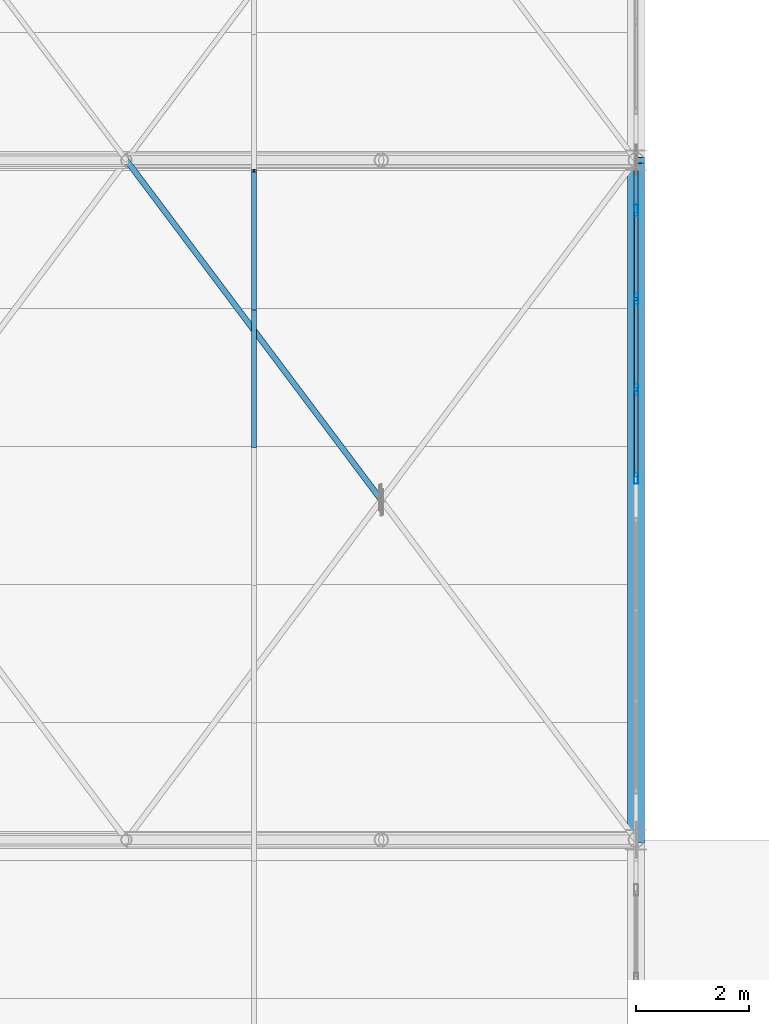
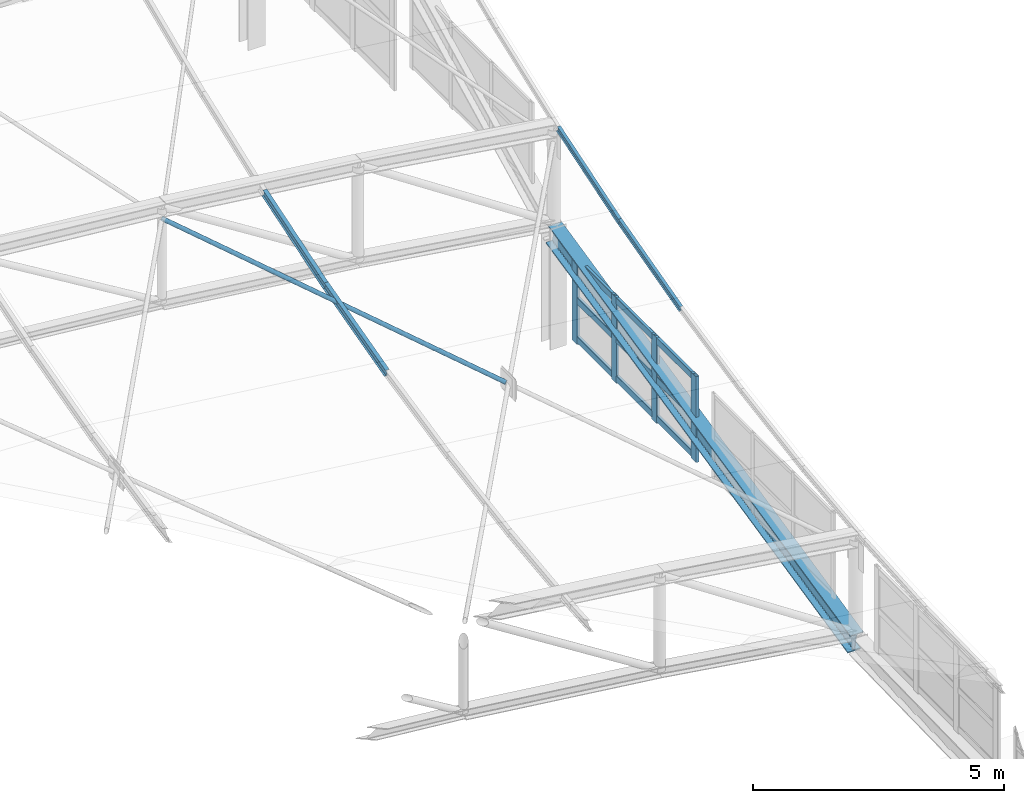
# One storey, part 129 of 262: 18 members, 1 beam, 1 element without a shape of its own.
"""IFC4 building model written with IfcOpenShell, lengths in metres."""

import ifcopenshell
import ifcopenshell.guid

model = None  # the IFC model being written
_history = None  # IfcOwnerHistory: only IFC2X3 demands one
_inside = {}  # id of a spatial element -> (the spatial element, [elements in it])
_under = {}  # id of a project, library or spatial element -> (it, [spatial elements below it])
_declared = {}  # id of a project -> (the project, [libraries it declares])
_typed = {}  # id of a type object -> (the type object, [elements of that type])
_made_of = {}  # id of a material, layer set ... -> (it, [elements and type objects made of it])


def new_model(schema):
    """Start an empty IFC model of exactly this schema.

    Asked for "IFC4X3", IfcOpenShell would pick the latest addendum, in which some entities
    have other attributes; the version numbers below select the first issue.
    IFC2X3 requires an IfcOwnerHistory on every rooted entity: one is made here for all.
    """
    global model, _history
    if schema == "IFC4X3":
        model = ifcopenshell.file(schema_version=(4, 3, 0, 0))
    else:
        model = ifcopenshell.file(schema=schema)
    _inside.clear()
    _under.clear()
    _declared.clear()
    _typed.clear()
    _made_of.clear()
    _history = None
    if model.schema == "IFC2X3":
        org = make("IfcOrganization", Name="unknown")
        user = make(
            "IfcPersonAndOrganization",
            ThePerson=make("IfcPerson", FamilyName="unknown"),
            TheOrganization=org,
        )
        app = make(
            "IfcApplication",
            ApplicationDeveloper=org,
            Version="unknown",
            ApplicationFullName="unknown",
            ApplicationIdentifier="unknown",
        )
        _history = make(
            "IfcOwnerHistory",
            OwningUser=user,
            OwningApplication=app,
            ChangeAction="ADDED",
            CreationDate=0,
        )
    return model


def make(cls, **values):
    """One entity of the class cls with the attributes given. An attribute that is None is left unset."""
    return model.create_entity(
        cls, **{name: value for name, value in values.items() if value is not None}
    )


def rooted(cls, **values):
    """An entity with a GlobalId (a new one), such as an element, a storey or a relation."""
    return make(cls, GlobalId=ifcopenshell.guid.new(), OwnerHistory=_history, **values)


def si_unit(unit_type, name, prefix=None):
    """IfcSIUnit, for example si_unit("LENGTHUNIT", "METRE", prefix="MILLI")."""
    return make("IfcSIUnit", UnitType=unit_type, Prefix=prefix, Name=name)


def derived_unit(unit_type, elements):
    """IfcDerivedUnit: a product of units, each with its exponent."""
    return make(
        "IfcDerivedUnit",
        Elements=[
            make("IfcDerivedUnitElement", Unit=unit, Exponent=power)
            for unit, power in elements
        ],
        UnitType=unit_type,
    )


def assignment(units):
    """IfcUnitAssignment: the units of a project."""
    return None if units is None else make("IfcUnitAssignment", Units=units)


def point(xyz):
    """IfcCartesianPoint."""
    return None if xyz is None else make("IfcCartesianPoint", Coordinates=xyz)


def direction(xyz):
    """IfcDirection."""
    return None if xyz is None else make("IfcDirection", DirectionRatios=xyz)


def frame(location, z_axis=None, x_axis=None):
    """IfcAxis2Placement3D, a coordinate frame: its origin and axes. An axis left out is left unset."""
    return make(
        "IfcAxis2Placement3D",
        Location=point(location),
        Axis=direction(z_axis),
        RefDirection=direction(x_axis),
    )


def frame_2d(location, x_axis=None):
    """IfcAxis2Placement2D, a coordinate frame in the plane: its origin and x axis."""
    return make(
        "IfcAxis2Placement2D", Location=point(location), RefDirection=direction(x_axis)
    )


def origin():
    """The frame at (0, 0, 0) with its axes left unset."""
    return frame((0.0, 0.0, 0.0))


def origin_2d():
    """The frame at (0, 0) in the plane with its x axis left unset."""
    return frame_2d((0.0, 0.0))


def place(relative_to, where):
    """IfcLocalPlacement: puts the frame where relative to a parent placement (None: the world)."""
    return make(
        "IfcLocalPlacement", PlacementRelTo=relative_to, RelativePlacement=where
    )


def context(
    kind, dimensions, precision=None, world=None, true_north=None, identifier=None
):
    """IfcGeometricRepresentationContext, for example the 3D "Model" context."""
    return make(
        "IfcGeometricRepresentationContext",
        ContextIdentifier=identifier,
        ContextType=kind,
        CoordinateSpaceDimension=dimensions,
        Precision=precision,
        WorldCoordinateSystem=world,
        TrueNorth=true_north,
    )


def subcontext(parent, identifier, kind, view, scale=None):
    """IfcGeometricRepresentationSubContext, for example "Body" below "Model"."""
    return make(
        "IfcGeometricRepresentationSubContext",
        ContextIdentifier=identifier,
        ContextType=kind,
        ParentContext=parent,
        TargetScale=scale,
        TargetView=view,
    )


def project(units=None, contexts=None):
    """IfcProject with its units and contexts."""
    return rooted(
        "IfcProject",
        Name="project",
        RepresentationContexts=contexts,
        UnitsInContext=assignment(units),
    )


def spatial(cls, under=None, at=None, **own):
    """A site, building, storey or space (cls), placed at a placement, below another one or the project."""
    s = rooted(cls, ObjectPlacement=at, **own)
    if under is not None:
        _under.setdefault(under.id(), (under, []))[1].append(s)
    return s


def profile(cls, at=None, kind="AREA", **sizes):
    """A parametric profile (cls). Its sizes go by their IFC names, for example OverallWidth=200.0."""
    return make(cls, ProfileType=kind, Position=at, **sizes)


def hollow_rectangle(**sizes):
    """IfcRectangleHollowProfileDef."""
    return profile("IfcRectangleHollowProfileDef", **sizes)


def hollow_circle(**sizes):
    """IfcCircleHollowProfileDef."""
    return profile("IfcCircleHollowProfileDef", **sizes)


def i_section(**sizes):
    """IfcIShapeProfileDef."""
    return profile("IfcIShapeProfileDef", **sizes)


def extrude(swept, where, along, depth):
    """IfcExtrudedAreaSolid: the profile swept, set in the frame where, extruded along a direction by depth."""
    return make(
        "IfcExtrudedAreaSolid",
        SweptArea=swept,
        Position=where,
        ExtrudedDirection=direction(along),
        Depth=depth,
    )


def shape(context_of_items, identifier, shape_type, items):
    """IfcShapeRepresentation: the items that make up one representation, for example the "Body"."""
    return make(
        "IfcShapeRepresentation",
        ContextOfItems=context_of_items,
        RepresentationIdentifier=identifier,
        RepresentationType=shape_type,
        Items=items,
    )


def material(Name=None, Category=None):
    """IfcMaterial."""
    return make("IfcMaterial", Name=Name, Category=Category)


def layer(
    of_material, thickness, ventilated=None, Name=None, Category=None, Priority=None
):
    """IfcMaterialLayer: one layer of a wall or slab, of a material (None: an air gap)."""
    return make(
        "IfcMaterialLayer",
        Material=of_material,
        LayerThickness=thickness,
        IsVentilated=ventilated,
        Name=Name,
        Category=Category,
        Priority=Priority,
    )


def layer_set(layers, Name=None):
    """IfcMaterialLayerSet."""
    return make("IfcMaterialLayerSet", MaterialLayers=layers, LayerSetName=Name)


def material_profile(
    of_material, cross_section, Name=None, Category=None, Priority=None
):
    """IfcMaterialProfile: a cross section and its material."""
    return make(
        "IfcMaterialProfile",
        Name=Name,
        Material=of_material,
        Profile=cross_section,
        Priority=Priority,
        Category=Category,
    )


def profile_set(profiles, Name=None, composite=None):
    """IfcMaterialProfileSet."""
    return make(
        "IfcMaterialProfileSet",
        Name=Name,
        MaterialProfiles=profiles,
        CompositeProfile=composite,
    )


def made_of(thing, what):
    """Note that an element or type object is made of a material, layer set ...; save() writes the relation."""
    if what is not None:
        _made_of.setdefault(what.id(), (what, []))[1].append(thing)
    return thing


def type_object(cls, material=None, **own):
    """A type object (cls), such as IfcWallType, which elements share."""
    return made_of(rooted(cls, **own), material)


def element(
    cls,
    number,
    at=None,
    inside=None,
    cuts=None,
    type_object=None,
    material=None,
    context=None,
    identifier="Body",
    shape_type=None,
    held_by="IfcProductDefinitionShape",
    body=None,
    shapes=None,
    **own,
):
    """One element of the class cls, such as IfcWall. Its Tag is "e" and its number.

    at: its placement. inside: the storey or other place that contains it. cuts: it is an
    opening in that element (IfcRelVoidsElement). A single representation is given by context,
    identifier, shape_type and body (its items); several are given by shapes. held_by: the class
    of the entity that holds the representations. save() writes the other relations.
    """
    e = rooted(cls, Tag="e%d" % number, ObjectPlacement=at, **own)
    if body is not None:
        shapes = [shape(context, identifier, shape_type, body)]
    if shapes is not None:
        e.Representation = make(held_by, Representations=shapes)
    if inside is not None:
        _inside.setdefault(inside.id(), (inside, []))[1].append(e)
    if cuts is not None:
        rooted(
            "IfcRelVoidsElement", RelatingBuildingElement=cuts, RelatedOpeningElement=e
        )
    if type_object is not None:
        _typed.setdefault(type_object.id(), (type_object, []))[1].append(e)
    return made_of(e, material)


def aggregate(whole, parts):
    """IfcRelAggregates: a whole, such as a stair, and the parts it consists of."""
    return rooted("IfcRelAggregates", RelatingObject=whole, RelatedObjects=parts)


def save(model, path):
    """Write the relations noted so far, then the file.

    IfcRelAggregates (storeys below a building ...), IfcRelContainedInSpatialStructure (elements
    in a storey), IfcRelDefinesByType, IfcRelAssociatesMaterial and IfcRelDeclares: one each for
    every whole, place, type object, material and project.
    """
    for whole, parts in _under.values():
        aggregate(whole, parts)
    for where, things in _inside.values():
        rooted(
            "IfcRelContainedInSpatialStructure",
            RelatedElements=things,
            RelatingStructure=where,
        )
    for kind, things in _typed.values():
        rooted("IfcRelDefinesByType", RelatedObjects=things, RelatingType=kind)
    for what, things in _made_of.values():
        rooted("IfcRelAssociatesMaterial", RelatedObjects=things, RelatingMaterial=what)
    for by, libraries in _declared.values():
        rooted("IfcRelDeclares", RelatingContext=by, RelatedDefinitions=libraries)
    model.write(path)


model = new_model("IFC4")

# Units and contexts
model_context = context("Model", 3, precision=1e-05, world=origin(), true_north=direction((0.0, 1.0)))
body_context = subcontext(model_context, "Body", "Model", "MODEL_VIEW")
ifc_project = project(units=[si_unit("LENGTHUNIT", "METRE"), si_unit("AREAUNIT", "SQUARE_METRE"), si_unit("VOLUMEUNIT", "CUBIC_METRE"), si_unit("PLANEANGLEUNIT", "RADIAN"), si_unit("MASSUNIT", "GRAM", prefix="KILO"), derived_unit("THERMALTRANSMITTANCEUNIT", [(si_unit("POWERUNIT", "WATT"), 1), (si_unit("LENGTHUNIT", "METRE"), -2), (si_unit("THERMODYNAMICTEMPERATUREUNIT", "KELVIN"), -1)])], contexts=[model_context])

# Site, building, storey
site_placement = place(None, origin())
site = spatial("IfcSite", under=ifc_project, at=site_placement, CompositionType="ELEMENT")
building_placement = place(site_placement, origin())
building = spatial("IfcBuilding", under=site, at=building_placement, Name="Almenara Railside Exhibition Hall", CompositionType="ELEMENT")
storey_placement = place(building_placement, frame((0.0, 0.0, 21.699951171875)))
storey = spatial("IfcBuildingStorey", under=building, at=storey_placement, Name="RF", CompositionType="ELEMENT", Elevation=21.699951171875)

# Members
ifc_material_1 = material(Name="Structural steel S355JR", Category="steel")
ifc_material_profile_1 = material_profile(ifc_material_1, i_section(OverallWidth=0.072998046875, OverallDepth=0.139892578125, WebThickness=0.004638671875, FlangeThickness=0.0068359375, FilletRadius=0.007080078125, at=origin_2d()), Name="IPE 140")
ifc_profile_set_1 = profile_set([ifc_material_profile_1], Name="Structural steel S355JR")
member_type_1 = type_object("IfcMemberType", Name="Canopy Edge Purlin IPE 140 S355JR", PredefinedType="PURLIN", material=ifc_profile_set_1)
member_1_placement = place(storey_placement, frame((66.0, 114.943115234375, 1.50341796875), z_axis=(0.0, 0.966201190487, 0.257789176462), x_axis=(-1.0, 0.0, 0.0)))
element("IfcMember", 1, at=member_1_placement, inside=storey, type_object=member_type_1, Name="MEM-PR-V1-PR-IPE140-08-21", PredefinedType="PURLIN", context=body_context, shape_type="SweptSolid", body=[
    extrude(i_section(OverallWidth=0.072998046875, OverallDepth=0.139892578125, WebThickness=0.004638671875, FlangeThickness=0.0068359375, FilletRadius=0.007080078125, at=origin_2d()), origin(), (0.0, 0.0, 1.0), 2.52197265625),
])
member_2_placement = place(storey_placement, frame((66.0, 117.3798828125, 2.149658203125), z_axis=(0.0, 0.952468462339, 0.304637207594), x_axis=(-1.0, 0.0, 0.0)))
element("IfcMember", 2, at=member_2_placement, inside=storey, type_object=member_type_1, Name="MEM-PR-V1-PR-IPE140-08-22", PredefinedType="PURLIN", context=body_context, shape_type="SweptSolid", body=[
    extrude(i_section(OverallWidth=0.072998046875, OverallDepth=0.139892578125, WebThickness=0.004638671875, FlangeThickness=0.0068359375, FilletRadius=0.007080078125, at=origin_2d()), origin(), (0.0, 0.0, 1.0), 2.55810546875),
])

# Curtain wall, members
ifc_material_2 = material(Name="Bronze-anodised aluminium and low-E double glazing", Category="aluminium")
ifc_layer = layer(ifc_material_2, 0.179931640625, Name="Bronze-anodised aluminium and low-E double glazing")
ifc_layer_set = layer_set([ifc_layer], Name="Bronze-anodised aluminium and low-E double glazing")
curtain_wall_type = type_object("IfcCurtainWallType", Name="West Hall Clerestory Curtain Wall 4200x2400", PredefinedType="NOTDEFINED", material=ifc_layer_set)
curtain_wall_placement = place(storey_placement, origin())
curtain_wall = element("IfcCurtainWall", 3, at=curtain_wall_placement, inside=storey, type_object=curtain_wall_type, Name="Curtain wall CW-CL1-191", PredefinedType="NOTDEFINED")
ifc_material_3 = material(Name="Bronze-anodised aluminium", Category="aluminium")
ifc_material_profile_2 = material_profile(ifc_material_3, hollow_rectangle(XDim=0.070068359375, YDim=0.199951171875, WallThickness=0.00439453125, InnerFilletRadius=0.00439453125, OuterFilletRadius=0.009033203125, at=origin_2d()), Name="ALU-MUL 70x200x4.5")
ifc_profile_set_2 = profile_set([ifc_material_profile_2], Name="Bronze-anodised aluminium")
member_type_2 = type_object("IfcMemberType", Name="Curtain Wall Mullion 70x200x4.5", PredefinedType="MULLION", material=ifc_profile_set_2)
member_3_placement = place(storey_placement, frame((66.0, 114.385009765625, -1.824951171875), z_axis=(0.0, 0.0, 1.0), x_axis=(-1.0, 0.0, 0.0)))
member_3 = element("IfcMember", 4, at=member_3_placement, type_object=member_type_2, Name="CW-CL1-191 mullion 1", PredefinedType="MULLION", context=body_context, shape_type="SweptSolid", body=[
    extrude(hollow_rectangle(XDim=0.070068359375, YDim=0.199951171875, WallThickness=0.00439453125, InnerFilletRadius=0.00439453125, OuterFilletRadius=0.009033203125, at=origin_2d()), origin(), (0.0, 0.0, 1.0), 2.0849609375),
])
member_4_placement = place(storey_placement, frame((66.0, 115.949951171875, -1.824951171875), z_axis=(0.0, 0.0, 1.0), x_axis=(-1.0, 0.0, 0.0)))
member_4 = element("IfcMember", 5, at=member_4_placement, type_object=member_type_2, Name="CW-CL1-191 mullion 2", PredefinedType="MULLION", context=body_context, shape_type="SweptSolid", body=[
    extrude(hollow_rectangle(XDim=0.070068359375, YDim=0.199951171875, WallThickness=0.00439453125, InnerFilletRadius=0.00439453125, OuterFilletRadius=0.009033203125, at=origin_2d()), origin(), (0.0, 0.0, 1.0), 2.0849609375),
])
member_5_placement = place(storey_placement, frame((66.0, 117.550048828125, -1.824951171875), z_axis=(0.0, 0.0, 1.0), x_axis=(-1.0, 0.0, 0.0)))
member_5 = element("IfcMember", 6, at=member_5_placement, type_object=member_type_2, Name="CW-CL1-191 mullion 3", PredefinedType="MULLION", context=body_context, shape_type="SweptSolid", body=[
    extrude(hollow_rectangle(XDim=0.070068359375, YDim=0.199951171875, WallThickness=0.00439453125, InnerFilletRadius=0.00439453125, OuterFilletRadius=0.009033203125, at=origin_2d()), origin(), (0.0, 0.0, 1.0), 2.0849609375),
])
member_6_placement = place(storey_placement, frame((66.0, 119.114990234375, -1.824951171875), z_axis=(0.0, 0.0, 1.0), x_axis=(-1.0, 0.0, 0.0)))
member_6 = element("IfcMember", 7, at=member_6_placement, type_object=member_type_2, Name="CW-CL1-191 mullion 4", PredefinedType="MULLION", context=body_context, shape_type="SweptSolid", body=[
    extrude(hollow_rectangle(XDim=0.070068359375, YDim=0.199951171875, WallThickness=0.00439453125, InnerFilletRadius=0.00439453125, OuterFilletRadius=0.009033203125, at=origin_2d()), origin(), (0.0, 0.0, 1.0), 2.0849609375),
])
ifc_material_profile_3 = material_profile(ifc_material_3, hollow_rectangle(XDim=0.070068359375, YDim=0.159912109375, WallThickness=0.00390625, InnerFilletRadius=0.00390625, OuterFilletRadius=0.008056640625, at=origin_2d()), Name="ALU-TRN 70x160x4")
ifc_profile_set_3 = profile_set([ifc_material_profile_3], Name="Bronze-anodised aluminium")
member_type_3 = type_object("IfcMemberType", Name="Curtain Wall Transom 70x160x4", PredefinedType="USERDEFINED", material=ifc_profile_set_3)
member_7_placement = place(storey_placement, frame((66.0, 114.412109375, -1.7099609375), z_axis=(0.0, 1.0, 0.0), x_axis=(-1.0, 0.0, 0.0)))
member_7 = element("IfcMember", 8, at=member_7_placement, type_object=member_type_3, Name="CW-CL1-191 transom 1.1", ObjectType="TRANSOM", PredefinedType="USERDEFINED", context=body_context, shape_type="SweptSolid", body=[
    extrude(hollow_rectangle(XDim=0.070068359375, YDim=0.159912109375, WallThickness=0.00390625, InnerFilletRadius=0.00390625, OuterFilletRadius=0.008056640625, at=origin_2d()), origin(), (0.0, 0.0, 1.0), 1.510986328125),
])
member_8_placement = place(storey_placement, frame((66.0, 114.412109375, -0.764892578125), z_axis=(0.0, 1.0, 0.0), x_axis=(-1.0, 0.0, 0.0)))
member_8 = element("IfcMember", 9, at=member_8_placement, type_object=member_type_3, Name="CW-CL1-191 transom 1.2", ObjectType="TRANSOM", PredefinedType="USERDEFINED", context=body_context, shape_type="SweptSolid", body=[
    extrude(hollow_rectangle(XDim=0.070068359375, YDim=0.159912109375, WallThickness=0.00390625, InnerFilletRadius=0.00390625, OuterFilletRadius=0.008056640625, at=origin_2d()), origin(), (0.0, 0.0, 1.0), 1.510986328125),
])
member_9_placement = place(storey_placement, frame((66.0, 114.412109375, 0.179931640625), z_axis=(0.0, 1.0, 0.0), x_axis=(-1.0, 0.0, 0.0)))
member_9 = element("IfcMember", 10, at=member_9_placement, type_object=member_type_3, Name="CW-CL1-191 transom 1.3", ObjectType="TRANSOM", PredefinedType="USERDEFINED", context=body_context, shape_type="SweptSolid", body=[
    extrude(hollow_rectangle(XDim=0.070068359375, YDim=0.159912109375, WallThickness=0.00390625, InnerFilletRadius=0.00390625, OuterFilletRadius=0.008056640625, at=origin_2d()), origin(), (0.0, 0.0, 1.0), 1.510986328125),
])
member_10_placement = place(storey_placement, frame((66.0, 115.97705078125, -1.7099609375), z_axis=(0.0, 1.0, 0.0), x_axis=(-1.0, 0.0, 0.0)))
member_10 = element("IfcMember", 11, at=member_10_placement, type_object=member_type_3, Name="CW-CL1-191 transom 2.1", ObjectType="TRANSOM", PredefinedType="USERDEFINED", context=body_context, shape_type="SweptSolid", body=[
    extrude(hollow_rectangle(XDim=0.070068359375, YDim=0.159912109375, WallThickness=0.00390625, InnerFilletRadius=0.00390625, OuterFilletRadius=0.008056640625, at=origin_2d()), origin(), (0.0, 0.0, 1.0), 1.5458984375),
])
member_11_placement = place(storey_placement, frame((66.0, 115.97705078125, -0.764892578125), z_axis=(0.0, 1.0, 0.0), x_axis=(-1.0, 0.0, 0.0)))
member_11 = element("IfcMember", 12, at=member_11_placement, type_object=member_type_3, Name="CW-CL1-191 transom 2.2", ObjectType="TRANSOM", PredefinedType="USERDEFINED", context=body_context, shape_type="SweptSolid", body=[
    extrude(hollow_rectangle(XDim=0.070068359375, YDim=0.159912109375, WallThickness=0.00390625, InnerFilletRadius=0.00390625, OuterFilletRadius=0.008056640625, at=origin_2d()), origin(), (0.0, 0.0, 1.0), 1.5458984375),
])
member_12_placement = place(storey_placement, frame((66.0, 115.97705078125, 0.179931640625), z_axis=(0.0, 1.0, 0.0), x_axis=(-1.0, 0.0, 0.0)))
member_12 = element("IfcMember", 13, at=member_12_placement, type_object=member_type_3, Name="CW-CL1-191 transom 2.3", ObjectType="TRANSOM", PredefinedType="USERDEFINED", context=body_context, shape_type="SweptSolid", body=[
    extrude(hollow_rectangle(XDim=0.070068359375, YDim=0.159912109375, WallThickness=0.00390625, InnerFilletRadius=0.00390625, OuterFilletRadius=0.008056640625, at=origin_2d()), origin(), (0.0, 0.0, 1.0), 1.5458984375),
])
member_13_placement = place(storey_placement, frame((66.0, 117.576904296875, -1.7099609375), z_axis=(0.0, 1.0, 0.0), x_axis=(-1.0, 0.0, 0.0)))
member_13 = element("IfcMember", 14, at=member_13_placement, type_object=member_type_3, Name="CW-CL1-191 transom 3.1", ObjectType="TRANSOM", PredefinedType="USERDEFINED", context=body_context, shape_type="SweptSolid", body=[
    extrude(hollow_rectangle(XDim=0.070068359375, YDim=0.159912109375, WallThickness=0.00390625, InnerFilletRadius=0.00390625, OuterFilletRadius=0.008056640625, at=origin_2d()), origin(), (0.0, 0.0, 1.0), 1.510986328125),
])
member_14_placement = place(storey_placement, frame((66.0, 117.576904296875, -0.764892578125), z_axis=(0.0, 1.0, 0.0), x_axis=(-1.0, 0.0, 0.0)))
member_14 = element("IfcMember", 15, at=member_14_placement, type_object=member_type_3, Name="CW-CL1-191 transom 3.2", ObjectType="TRANSOM", PredefinedType="USERDEFINED", context=body_context, shape_type="SweptSolid", body=[
    extrude(hollow_rectangle(XDim=0.070068359375, YDim=0.159912109375, WallThickness=0.00390625, InnerFilletRadius=0.00390625, OuterFilletRadius=0.008056640625, at=origin_2d()), origin(), (0.0, 0.0, 1.0), 1.510986328125),
])
member_15_placement = place(storey_placement, frame((66.0, 117.576904296875, 0.179931640625), z_axis=(0.0, 1.0, 0.0), x_axis=(-1.0, 0.0, 0.0)))
member_15 = element("IfcMember", 16, at=member_15_placement, type_object=member_type_3, Name="CW-CL1-191 transom 3.3", ObjectType="TRANSOM", PredefinedType="USERDEFINED", context=body_context, shape_type="SweptSolid", body=[
    extrude(hollow_rectangle(XDim=0.070068359375, YDim=0.159912109375, WallThickness=0.00390625, InnerFilletRadius=0.00390625, OuterFilletRadius=0.008056640625, at=origin_2d()), origin(), (0.0, 0.0, 1.0), 1.510986328125),
])
aggregate(curtain_wall, [member_3, member_4, member_5, member_6, member_7, member_8, member_9, member_10, member_11, member_12, member_13, member_14, member_15])

# Members
ifc_material_profile_4 = material_profile(ifc_material_1, i_section(OverallWidth=0.091064453125, OverallDepth=0.179931640625, WebThickness=0.00537109375, FlangeThickness=0.008056640625, FilletRadius=0.009033203125, at=origin_2d()), Name="IPE 180")
ifc_profile_set_4 = profile_set([ifc_material_profile_4], Name="Structural steel S355JR")
member_type_4 = type_object("IfcMemberType", Name="Plenary Roof Purlin IPE 180 S355JR", PredefinedType="PURLIN", material=ifc_profile_set_4)
member_16_placement = place(storey_placement, frame((59.25, 114.943115234375, 2.30908203125), z_axis=(0.0, 0.966201190487, 0.257789176462), x_axis=(-1.0, 0.0, 0.0)))
element("IfcMember", 17, at=member_16_placement, inside=storey, type_object=member_type_4, Name="MEM-PR-V1-PR-IPE180-07-21", PredefinedType="PURLIN", context=body_context, shape_type="SweptSolid", body=[
    extrude(i_section(OverallWidth=0.091064453125, OverallDepth=0.179931640625, WebThickness=0.00537109375, FlangeThickness=0.008056640625, FilletRadius=0.009033203125, at=origin_2d()), origin(), (0.0, 0.0, 1.0), 2.52197265625),
])
member_17_placement = place(storey_placement, frame((59.25, 117.3798828125, 2.955078125), z_axis=(0.0, 0.952468462339, 0.304637207594), x_axis=(-1.0, 0.0, 0.0)))
element("IfcMember", 18, at=member_17_placement, inside=storey, type_object=member_type_4, Name="MEM-PR-V1-PR-IPE180-07-22", PredefinedType="PURLIN", context=body_context, shape_type="SweptSolid", body=[
    extrude(i_section(OverallWidth=0.091064453125, OverallDepth=0.179931640625, WebThickness=0.00537109375, FlangeThickness=0.008056640625, FilletRadius=0.009033203125, at=origin_2d()), origin(), (0.0, 0.0, 1.0), 2.55810546875),
])
ifc_material_profile_5 = material_profile(ifc_material_1, hollow_circle(Radius=0.05078125, WallThickness=0.00390625, at=origin_2d()), Name="CHS 101.6x4")
ifc_profile_set_5 = profile_set([ifc_material_profile_5], Name="Structural steel S355JR")
member_type_5 = type_object("IfcMemberType", Name="Scroll Wind Plan Brace CHS 101.6x4 S355JR", PredefinedType="BRACE", material=ifc_profile_set_5)
member_18_placement = place(storey_placement, frame((61.46826171875, 114.04248046875, 1.847900390625), z_axis=(-0.580716303598, 0.774267251688, 0.25155277319), x_axis=(-0.799992131801, -0.600010490789, 0.0)))
element("IfcMember", 19, at=member_18_placement, inside=storey, type_object=member_type_5, Name="MEM-WB-V1-WB-CHS102-05-10-S2", PredefinedType="BRACE", context=body_context, shape_type="SweptSolid", body=[
    extrude(hollow_circle(Radius=0.05078125, WallThickness=0.00390625, at=origin_2d()), origin(), (0.0, 0.0, 1.0), 7.6943359375),
])

# Beam
ifc_material_profile_6 = material_profile(ifc_material_1, i_section(OverallWidth=0.300048828125, OverallDepth=0.5, WebThickness=0.014404296875, FlangeThickness=0.028076171875, FilletRadius=0.027099609375, at=origin_2d()), Name="HEB 500")
ifc_profile_set_6 = profile_set([ifc_material_profile_6], Name="Structural steel S355JR")
beam_type = type_object("IfcBeamType", Name="Steel Heavy Eaves Girder HEB 500 S355JR", PredefinedType="USERDEFINED", material=ifc_profile_set_6)
beam_placement = place(storey_placement, frame((66.0, 108.0, -2.38525390625), z_axis=(0.0, 0.976017158666, 0.217693605763), x_axis=(-1.0, 0.0, 0.0)))
element("IfcBeam", 20, at=beam_placement, inside=storey, type_object=beam_type, Name="Beam 0972", ObjectType="GIRDER", PredefinedType="USERDEFINED", context=body_context, shape_type="SweptSolid", body=[
    extrude(i_section(OverallWidth=0.300048828125, OverallDepth=0.5, WebThickness=0.014404296875, FlangeThickness=0.028076171875, FilletRadius=0.027099609375, at=origin_2d()), origin(), (0.0, 0.0, 1.0), 12.294921875),
])

save(model, "model.ifc")
